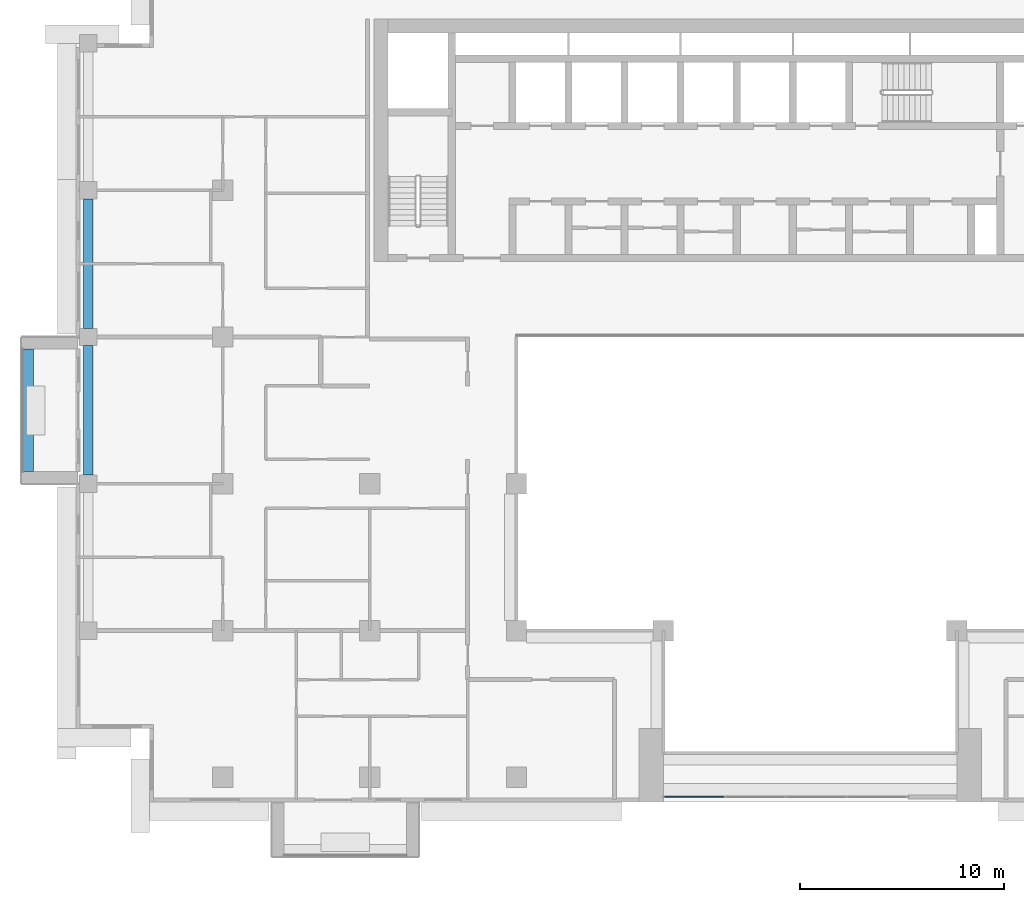
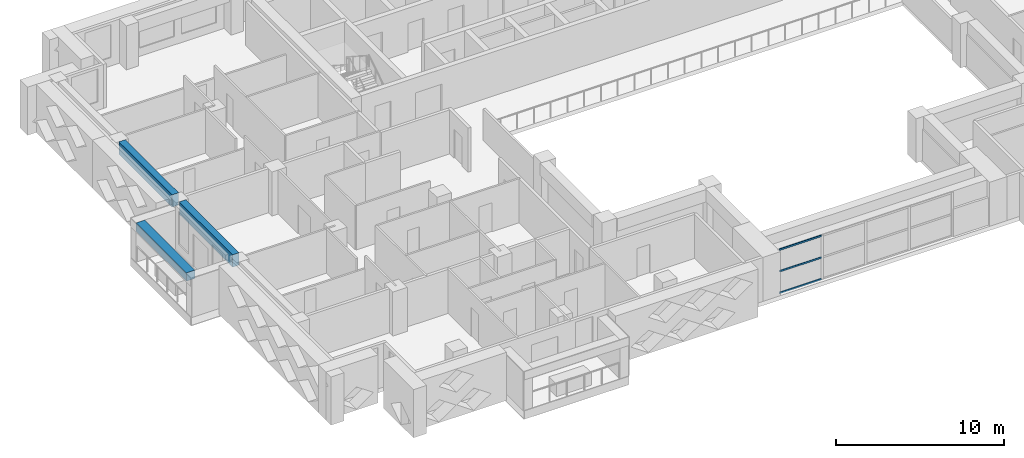
# One storey, part 3 of 20: 3 beams, 3 members, 1 element without a shape of its own.
"""IFC4 building model written with IfcOpenShell, lengths in metres."""

from ifc_helpers import new_model, si_unit, direction, frame, origin, origin_2d, place, context, subcontext, project, spatial, rectangle, extrude, source, transform, mapped, material, layer, layer_set, material_profile, profile_set, type_object, element, aggregate, save


model = new_model("IFC4")

# Units and contexts
model_context = context("Model", 3, precision=1e-05, world=origin(), true_north=direction((0.0, 1.0)))
body_context = subcontext(model_context, "Body", "Model", "MODEL_VIEW")
ifc_project = project(units=[si_unit("LENGTHUNIT", "METRE"), si_unit("AREAUNIT", "SQUARE_METRE"), si_unit("VOLUMEUNIT", "CUBIC_METRE"), si_unit("PLANEANGLEUNIT", "RADIAN"), si_unit("MASSUNIT", "GRAM", prefix="KILO")], contexts=[model_context])

# Site, building, storey
site_placement = place(None, origin())
site = spatial("IfcSite", under=ifc_project, at=site_placement, CompositionType="ELEMENT")
building_placement = place(site_placement, origin())
building = spatial("IfcBuilding", under=site, at=building_placement, Name="Saffron Iwan Residences", CompositionType="ELEMENT")
storey_placement = place(building_placement, frame((0.0, 0.0, 164.0)))
storey = spatial("IfcBuildingStorey", under=building, at=storey_placement, Name="L43", CompositionType="ELEMENT", Elevation=164.0)

# Beams
ifc_material_1 = material(Name="Concrete C50/60", Category="concrete")
ifc_material_profile_1 = material_profile(ifc_material_1, rectangle(XDim=0.449951171875, YDim=0.89990234375, at=origin_2d()), Name="RC 450x900")
ifc_profile_set_1 = profile_set([ifc_material_profile_1], Name="Concrete C50/60")
beam_type_1 = type_object("IfcBeamType", Name="SPANDREL BEAM RC 450x900 C50/60 TOP 3200", PredefinedType="SPANDREL", material=ifc_profile_set_1)
shared_shape_1 = source(origin(), body_context, "Body", "SweptSolid", [
    extrude(rectangle(XDim=0.449951171875, YDim=0.89990234375, at=origin_2d()), origin(), (0.0, 0.0, 1.0), 6.35009765625),
])
for number, where, z_axis, x_axis, name in (
    (1, (15.0, 55.625, 2.75), (0.0, 1.0, 0.0), (-1.0, 0.0, 0.0), "Spandrel beam"),
    (2, (15.0, 62.824951171875, 2.75), (0.0, 1.0, 0.0), (-1.0, 0.0, 0.0), "Spandrel beam"),
):
    element("IfcBeam", number, at=place(storey_placement, frame(where, z_axis=z_axis, x_axis=x_axis)), inside=storey, type_object=beam_type_1, Name=name, PredefinedType="SPANDREL", context=body_context, shape_type="MappedRepresentation", body=[
        mapped(shared_shape_1, transform((0.0, 0.0, 0.0))),
    ])

# Curtain wall, members
ifc_material_2 = material(Name="Clear glass, laminated double glazed", Category="glass")
ifc_layer = layer(ifc_material_2, 0.199951171875)
ifc_layer_set = layer_set([ifc_layer], Name="Clear glass, laminated double glazed")
curtain_wall_type = type_object("IfcCurtainWallType", Name="CW-B IWAN PORTAL", PredefinedType="NOTDEFINED", material=ifc_layer_set)
curtain_wall_placement = place(storey_placement, origin())
curtain_wall = element("IfcCurtainWall", 3, at=curtain_wall_placement, inside=storey, type_object=curtain_wall_type, Name="Iwan portal glazing L43.1", PredefinedType="NOTDEFINED")
ifc_material_3 = material(Name="Aluminium 6063-T6", Category="aluminium")
ifc_material_profile_2 = material_profile(ifc_material_3, rectangle(XDim=0.06005859375, YDim=0.1201171875, at=origin_2d()), Name="CW-B TRANSOM 60 x 120")
ifc_profile_set_2 = profile_set([ifc_material_profile_2], Name="Aluminium 6063-T6")
member_type = type_object("IfcMemberType", Name="CW-B TRANSOM 60 x 120", PredefinedType="USERDEFINED", material=ifc_profile_set_2)
shared_shape_2 = source(origin(), body_context, "Body", "SweptSolid", [
    extrude(rectangle(XDim=0.06005859375, YDim=0.1201171875, at=origin_2d()), origin(), (0.0, 0.0, 1.0), 2.909912109375),
])
member_1_placement = place(storey_placement, frame((43.260009765625, 39.85009765625, 0.030029296875), z_axis=(1.0, 0.0, 0.0), x_axis=(0.0, 1.0, 0.0)))
member_1 = element("IfcMember", 4, at=member_1_placement, type_object=member_type, Name="CW-B transom 1.1", ObjectType="TRANSOM", PredefinedType="USERDEFINED", context=body_context, shape_type="MappedRepresentation", body=[
    mapped(shared_shape_2, transform((0.0, 0.0, 0.0))),
])
member_2_placement = place(storey_placement, frame((43.260009765625, 39.85009765625, 1.60009765625), z_axis=(1.0, 0.0, 0.0), x_axis=(0.0, 1.0, 0.0)))
member_2 = element("IfcMember", 5, at=member_2_placement, type_object=member_type, Name="CW-B transom 1.2", ObjectType="TRANSOM", PredefinedType="USERDEFINED", context=body_context, shape_type="MappedRepresentation", body=[
    mapped(shared_shape_2, transform((0.0, 0.0, 0.0))),
])
member_3_placement = place(storey_placement, frame((43.260009765625, 39.85009765625, 3.169921875), z_axis=(1.0, 0.0, 0.0), x_axis=(0.0, 1.0, 0.0)))
member_3 = element("IfcMember", 6, at=member_3_placement, type_object=member_type, Name="CW-B transom 1.3", ObjectType="TRANSOM", PredefinedType="USERDEFINED", context=body_context, shape_type="MappedRepresentation", body=[
    mapped(shared_shape_2, transform((0.0, 0.0, 0.0))),
])
aggregate(curtain_wall, [member_1, member_2, member_3])

# Beam
ifc_material_4 = material(Name="Concrete C50/60 white painted", Category="concrete")
ifc_material_profile_3 = material_profile(ifc_material_4, rectangle(XDim=0.60009765625, YDim=0.60009765625, at=origin_2d()), Name="BALCONY FASCIA BEAM 600 x 600")
ifc_profile_set_3 = profile_set([ifc_material_profile_3], Name="Concrete C50/60 white painted")
beam_type_2 = type_object("IfcBeamType", Name="BALCONY FASCIA BEAM 600 x 600", PredefinedType="BEAM", material=ifc_profile_set_3)
shared_shape_3 = source(origin(), body_context, "Body", "SweptSolid", [
    extrude(rectangle(XDim=0.60009765625, YDim=0.60009765625, at=origin_2d()), origin(), (0.0, 0.0, 1.0), 6.0),
])
beam_placement = place(storey_placement, frame((12.0, 61.800048828125, 2.550048828125), z_axis=(0.0, -1.0, 0.0), x_axis=(1.0, 0.0, 0.0)))
element("IfcBeam", 7, at=beam_placement, inside=storey, type_object=beam_type_2, Name="Balcony fascia beam L43 F8-0", PredefinedType="BEAM", context=body_context, shape_type="MappedRepresentation", body=[
    mapped(shared_shape_3, transform((0.0, 0.0, 0.0))),
])

save(model, "model.ifc")
